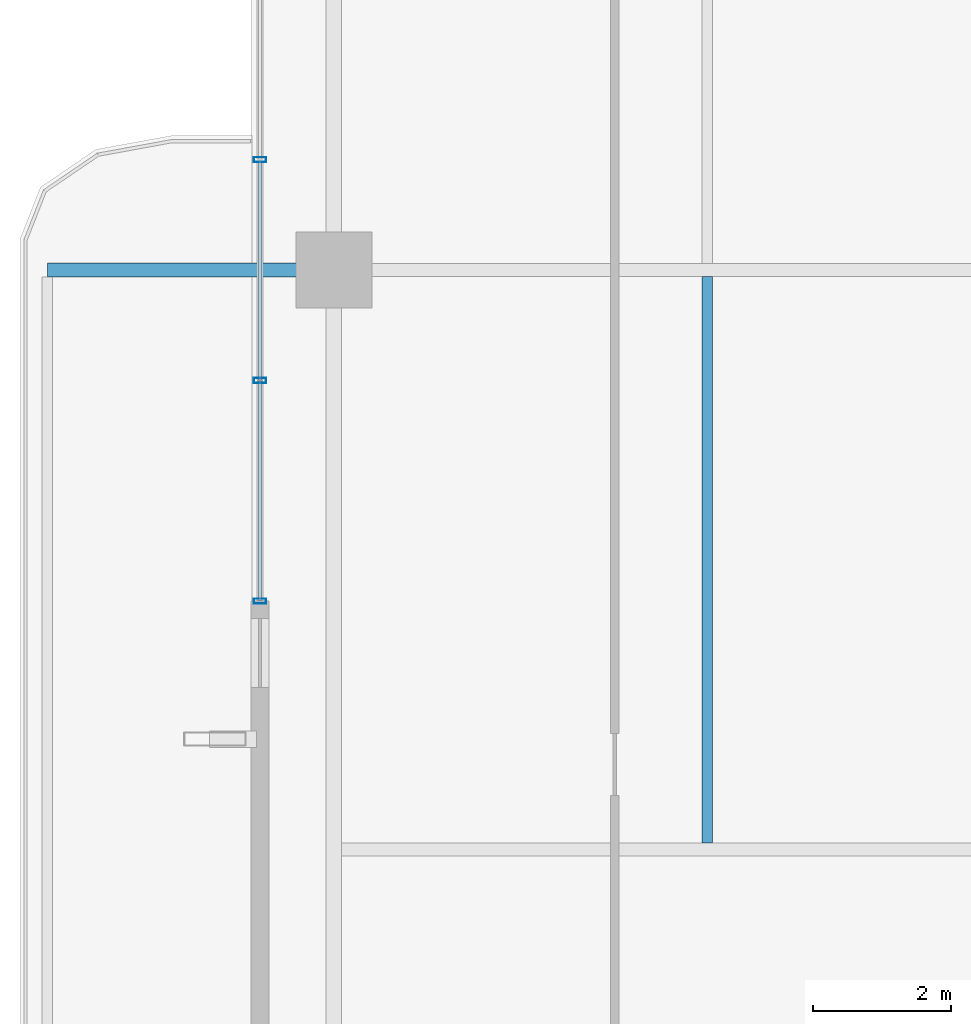
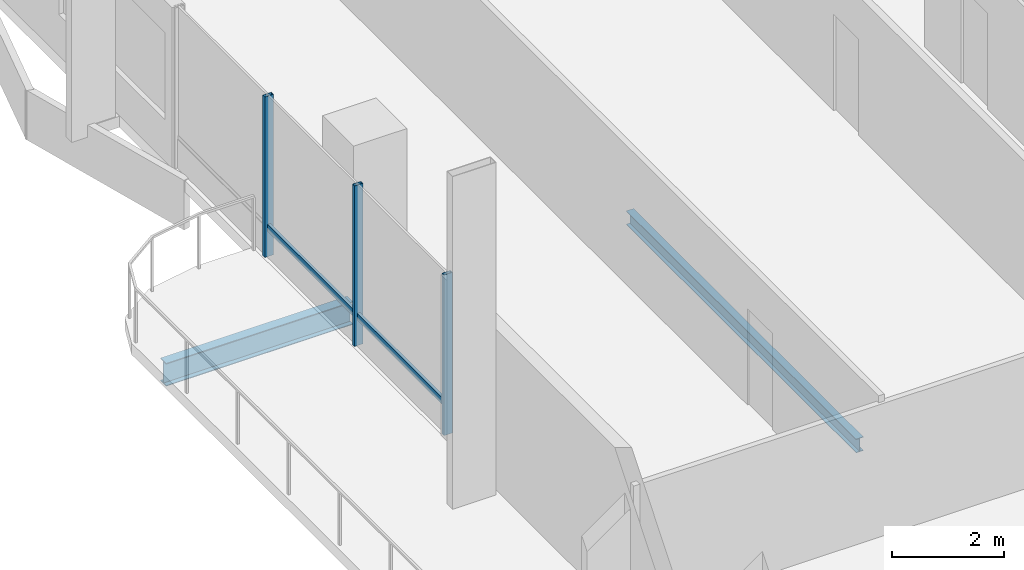
# One storey, part 4 of 24: 5 members, 2 beams, 1 element without a shape of its own.
"""IFC4 building model written with IfcOpenShell, lengths in metres."""

from ifc_helpers import new_model, si_unit, direction, frame, origin, origin_2d, place, context, subcontext, project, spatial, hollow_rectangle, i_section, extrude, material, layer, layer_set, material_profile, profile_set, type_object, element, aggregate, save


model = new_model("IFC4")

# Units and contexts
model_context = context("Model", 3, precision=1e-05, world=origin(), true_north=direction((0.0, 1.0)))
body_context = subcontext(model_context, "Body", "Model", "MODEL_VIEW")
ifc_project = project(units=[si_unit("LENGTHUNIT", "METRE"), si_unit("AREAUNIT", "SQUARE_METRE"), si_unit("VOLUMEUNIT", "CUBIC_METRE"), si_unit("PLANEANGLEUNIT", "RADIAN"), si_unit("MASSUNIT", "GRAM", prefix="KILO")], contexts=[model_context])

# Site, building, storey
site_placement = place(None, origin())
site = spatial("IfcSite", under=ifc_project, at=site_placement, CompositionType="ELEMENT")
building_placement = place(site_placement, origin())
building = spatial("IfcBuilding", under=site, at=building_placement, Name="Belovzor Exchange Tower", CompositionType="ELEMENT")
storey_placement = place(building_placement, frame((0.0, 0.0, 226.199951171875)))
storey = spatial("IfcBuildingStorey", under=building, at=storey_placement, Name="L56", CompositionType="ELEMENT", Elevation=226.199951171875)

# Beams
ifc_material_1 = material(Name="Steel S355", Category="steel")
ifc_material_profile_1 = material_profile(ifc_material_1, i_section(OverallWidth=0.199951171875, OverallDepth=0.5, WebThickness=0.01025390625, FlangeThickness=0.01611328125, at=origin_2d()))
ifc_profile_set_1 = profile_set([ifc_material_profile_1], Name="Steel S355")
beam_type_1 = type_object("IfcBeamType", Name="Planted Balcony Cantilever Beam IPE 500", PredefinedType="BEAM", material=ifc_profile_set_1)
beam_1_placement = place(storey_placement, frame((2.697021484375, 28.800048828125, -0.5), z_axis=(-1.0, 0.0, 0.0), x_axis=(0.0, -1.0, 0.0)))
element("IfcBeam", 1, at=beam_1_placement, inside=storey, type_object=beam_type_1, Name="BC-500 Planted Balcony Cantilever Beam IPE 500", PredefinedType="BEAM", context=body_context, shape_type="SweptSolid", body=[
    extrude(i_section(OverallWidth=0.199951171875, OverallDepth=0.5, WebThickness=0.01025390625, FlangeThickness=0.01611328125, at=origin_2d()), origin(), (0.0, 0.0, 1.0), 3.85009765625),
])
ifc_material_2 = material(Name="Steel S355", Category="steel")
ifc_material_profile_2 = material_profile(ifc_material_2, i_section(OverallWidth=0.14990234375, OverallDepth=0.300048828125, WebThickness=0.007080078125, FlangeThickness=0.0107421875, at=origin_2d()))
ifc_profile_set_2 = profile_set([ifc_material_profile_2], Name="Steel S355")
beam_type_2 = type_object("IfcBeamType", Name="Secondary Trim Floor Joist IPE 300", PredefinedType="BEAM", material=ifc_profile_set_2)
beam_2_placement = place(storey_placement, frame((8.4130859375, 20.4951171875, -0.39990234375), z_axis=(0.0, 1.0, 0.0), x_axis=(-1.0, 0.0, 0.0)))
element("IfcBeam", 2, at=beam_2_placement, inside=storey, type_object=beam_type_2, Name="FJ-300 Secondary Trim Floor Joist IPE 300", PredefinedType="BEAM", context=body_context, shape_type="SweptSolid", body=[
    extrude(i_section(OverallWidth=0.14990234375, OverallDepth=0.300048828125, WebThickness=0.007080078125, FlangeThickness=0.0107421875, at=origin_2d()), origin(), (0.0, 0.0, 1.0), 8.2099609375),
])

# Curtain wall, members
ifc_material_3 = material(Name="Anodised Aluminium Framing", Category="aluminium")
ifc_layer = layer(ifc_material_3, 0.179931640625)
ifc_layer_set = layer_set([ifc_layer], Name="Anodised Aluminium Framing")
curtain_wall_type = type_object("IfcCurtainWallType", Name="Recessed Loggia Low-Iron Triple-Glazed Curtain Wall", PredefinedType="NOTDEFINED", material=ifc_layer_set)
curtain_wall_placement = place(storey_placement, origin())
curtain_wall = element("IfcCurtainWall", 3, at=curtain_wall_placement, inside=storey, type_object=curtain_wall_type, Name="CW3 Recessed Loggia Low-Iron Triple-Glazed Curtain Wall L56", PredefinedType="NOTDEFINED")
ifc_material_4 = material(Name="Steel S355", Category="steel")
ifc_material_profile_3 = material_profile(ifc_material_4, hollow_rectangle(XDim=0.074951171875, YDim=0.179931640625, WallThickness=0.0048828125, at=origin_2d()))
ifc_profile_set_3 = profile_set([ifc_material_profile_3], Name="Steel S355")
member_type_1 = type_object("IfcMemberType", Name="Thermally Broken Curtain Wall Mullion 180x75", PredefinedType="MULLION", material=ifc_profile_set_3)
member_1_placement = place(storey_placement, frame((1.929931640625, 24.0, 0.0), z_axis=(0.0, 0.0, 1.0), x_axis=(0.0, 1.0, 0.0)))
member_1 = element("IfcMember", 4, at=member_1_placement, type_object=member_type_1, Name="CW-M180 Curtain Wall Mullion 1", PredefinedType="MULLION", context=body_context, shape_type="SweptSolid", body=[
    extrude(hollow_rectangle(XDim=0.074951171875, YDim=0.179931640625, WallThickness=0.0048828125, at=origin_2d()), origin(), (0.0, 0.0, 1.0), 3.5),
])
member_2_placement = place(storey_placement, frame((1.929931640625, 27.199951171875, 0.0), z_axis=(0.0, 0.0, 1.0), x_axis=(0.0, 1.0, 0.0)))
member_2 = element("IfcMember", 5, at=member_2_placement, type_object=member_type_1, Name="CW-M180 Curtain Wall Mullion 2", PredefinedType="MULLION", context=body_context, shape_type="SweptSolid", body=[
    extrude(hollow_rectangle(XDim=0.074951171875, YDim=0.179931640625, WallThickness=0.0048828125, at=origin_2d()), origin(), (0.0, 0.0, 1.0), 3.5),
])
member_3_placement = place(storey_placement, frame((1.929931640625, 30.39990234375, 0.0), z_axis=(0.0, 0.0, 1.0), x_axis=(0.0, 1.0, 0.0)))
member_3 = element("IfcMember", 6, at=member_3_placement, type_object=member_type_1, Name="CW-M180 Curtain Wall Mullion 3", PredefinedType="MULLION", context=body_context, shape_type="SweptSolid", body=[
    extrude(hollow_rectangle(XDim=0.074951171875, YDim=0.179931640625, WallThickness=0.0048828125, at=origin_2d()), origin(), (0.0, 0.0, 1.0), 3.5),
])
ifc_material_5 = material(Name="Steel S355", Category="steel")
ifc_material_profile_4 = material_profile(ifc_material_5, hollow_rectangle(XDim=0.06005859375, YDim=0.14990234375, WallThickness=0.00390625, at=origin_2d()))
ifc_profile_set_4 = profile_set([ifc_material_profile_4], Name="Steel S355")
member_type_2 = type_object("IfcMemberType", Name="Thermally Broken Curtain Wall Transom 150x60", PredefinedType="USERDEFINED", material=ifc_profile_set_4)
member_4_placement = place(storey_placement, frame((1.929931640625, 24.008056640625, 0.630126953125), z_axis=(0.0, 1.0, 0.0), x_axis=(-1.0, 0.0, 0.0)))
member_4 = element("IfcMember", 7, at=member_4_placement, type_object=member_type_2, Name="CW-T150 Curtain Wall Transom 1", ObjectType="TRANSOM", PredefinedType="USERDEFINED", context=body_context, shape_type="SweptSolid", body=[
    extrude(hollow_rectangle(XDim=0.06005859375, YDim=0.14990234375, WallThickness=0.00390625, at=origin_2d()), origin(), (0.0, 0.0, 1.0), 3.183837890625),
])
member_5_placement = place(storey_placement, frame((1.929931640625, 27.2080078125, 0.630126953125), z_axis=(0.0, 1.0, 0.0), x_axis=(-1.0, 0.0, 0.0)))
member_5 = element("IfcMember", 8, at=member_5_placement, type_object=member_type_2, Name="CW-T150 Curtain Wall Transom 2", ObjectType="TRANSOM", PredefinedType="USERDEFINED", context=body_context, shape_type="SweptSolid", body=[
    extrude(hollow_rectangle(XDim=0.06005859375, YDim=0.14990234375, WallThickness=0.00390625, at=origin_2d()), origin(), (0.0, 0.0, 1.0), 3.18408203125),
])
aggregate(curtain_wall, [member_1, member_2, member_3, member_4, member_5])

save(model, "model.ifc")
